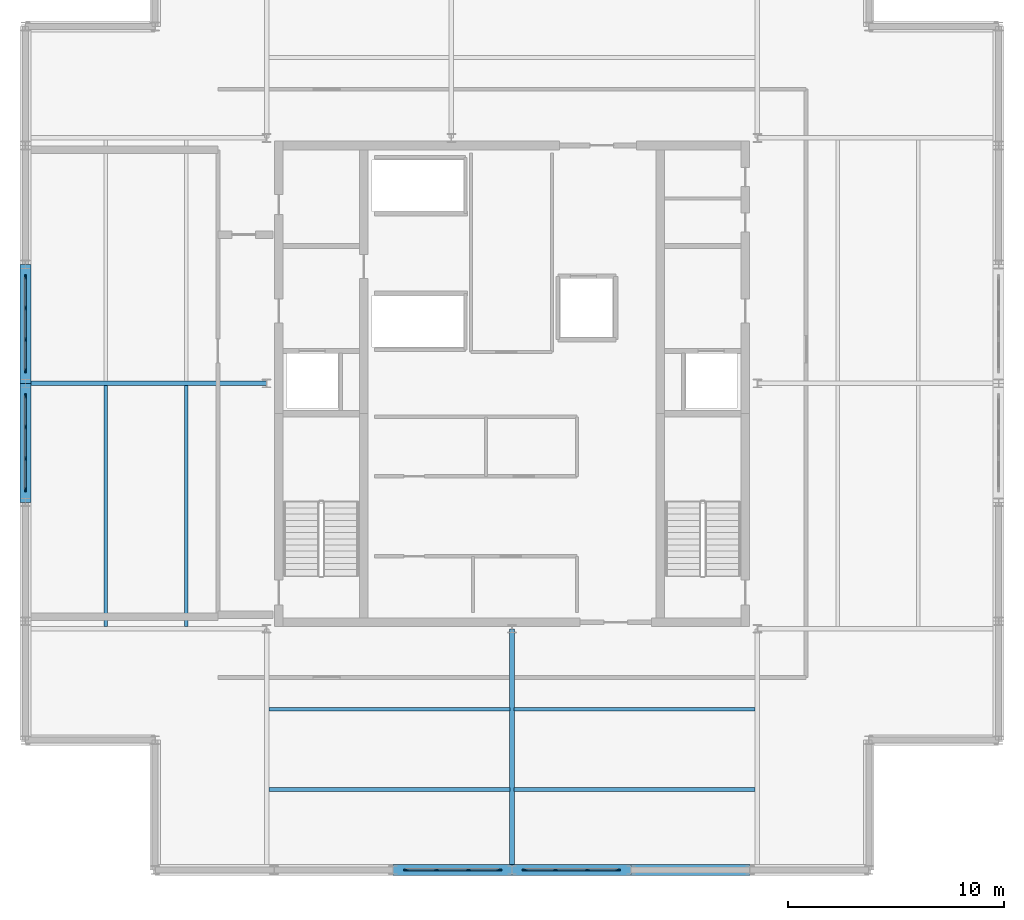
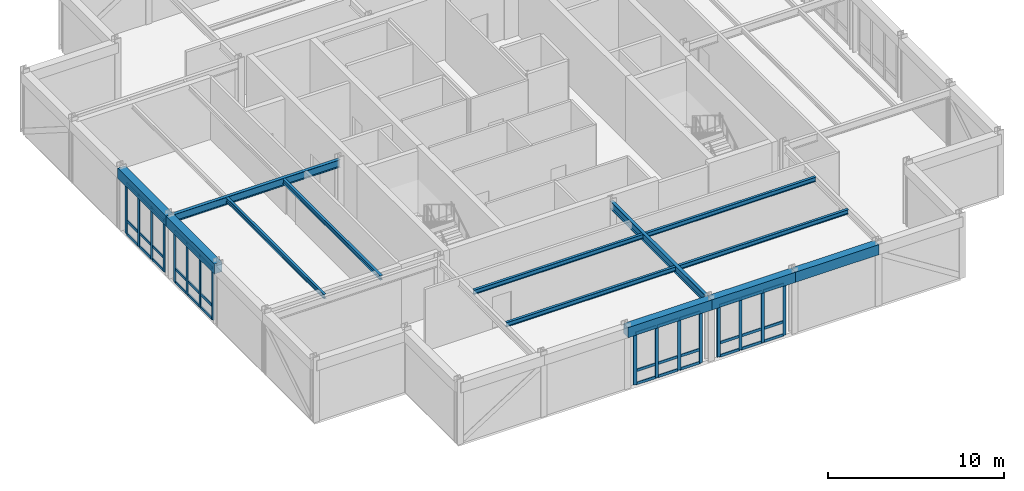
# One storey, part 2 of 9: 52 members, 13 beams, 4 elements without a shape of their own.
"""IFC4 building model written with IfcOpenShell, lengths in metres."""

from ifc_helpers import new_model, si_unit, direction, frame, origin, origin_2d, place, context, subcontext, project, spatial, rectangle, i_section, extrude, material, layer, layer_set, material_profile, profile_set, type_object, element, aggregate, save


model = new_model("IFC4")

# Units and contexts
model_context = context("Model", 3, precision=1e-05, world=origin(), true_north=direction((0.0, 1.0)))
body_context = subcontext(model_context, "Body", "Model", "MODEL_VIEW")
ifc_project = project(units=[si_unit("LENGTHUNIT", "METRE"), si_unit("AREAUNIT", "SQUARE_METRE"), si_unit("VOLUMEUNIT", "CUBIC_METRE"), si_unit("PLANEANGLEUNIT", "RADIAN"), si_unit("MASSUNIT", "GRAM", prefix="KILO")], contexts=[model_context])

# Site, building, storey
site_placement = place(None, origin())
site = spatial("IfcSite", under=ifc_project, at=site_placement, CompositionType="ELEMENT")
building_placement = place(site_placement, origin())
building = spatial("IfcBuilding", under=site, at=building_placement, Name="Nhamokura Convention Tower", CompositionType="ELEMENT")
storey_placement = place(building_placement, frame((0.0, 0.0, 313.25)))
storey = spatial("IfcBuildingStorey", under=building, at=storey_placement, Name="L77", CompositionType="ELEMENT", Elevation=313.25)

# Curtain wall, members
ifc_material_1 = material(Name="Anodised bronze aluminium AA6063-T6", Category="aluminium")
ifc_layer = layer(ifc_material_1, 0.2099609375)
ifc_layer_set = layer_set([ifc_layer], Name="CWSystem_SlantedCrown")
curtain_wall_type = type_object("IfcCurtainWallType", Name="CWSystem_SlantedCrown", PredefinedType="NOTDEFINED", material=ifc_layer_set)
curtain_wall_1_placement = place(storey_placement, origin())
curtain_wall_1 = element("IfcCurtainWall", 1, at=curtain_wall_1_placement, inside=storey, type_object=curtain_wall_type, Name="L77 Curtain Wall ENV-L77-CRCW-S2", PredefinedType="NOTDEFINED")
ifc_material_2 = material(Name="Anodised bronze aluminium AA6063-T6", Category="aluminium")
ifc_material_profile_1 = material_profile(ifc_material_2, rectangle(XDim=0.080078125, YDim=0.2099609375, at=origin_2d()))
ifc_profile_set_1 = profile_set([ifc_material_profile_1], Name="Anodised bronze aluminium AA6063-T6")
member_type_1 = type_object("IfcMemberType", Name="CWMullion_4", PredefinedType="MULLION", material=ifc_profile_set_1)
member_1_placement = place(storey_placement, frame((31.409912109375, 9.5, 0.0), z_axis=(0.0, 0.0, 1.0), x_axis=(0.0, -1.0, 0.0)))
member_1 = element("IfcMember", 2, at=member_1_placement, type_object=member_type_1, Name="CW-07 mullion 1", PredefinedType="MULLION", context=body_context, shape_type="SweptSolid", body=[
    extrude(rectangle(XDim=0.080078125, YDim=0.2099609375, at=origin_2d()), origin(), (0.0, 0.0, 1.0), 3.570068359375),
])
member_2_placement = place(storey_placement, frame((29.9833984375, 9.5, 0.0), z_axis=(0.0, 0.0, 1.0), x_axis=(0.0, -1.0, 0.0)))
member_2 = element("IfcMember", 3, at=member_2_placement, type_object=member_type_1, Name="CW-07 mullion 2", PredefinedType="MULLION", context=body_context, shape_type="SweptSolid", body=[
    extrude(rectangle(XDim=0.080078125, YDim=0.2099609375, at=origin_2d()), origin(), (0.0, 0.0, 1.0), 3.570068359375),
])
member_3_placement = place(storey_placement, frame((28.5166015625, 9.5, 0.0), z_axis=(0.0, 0.0, 1.0), x_axis=(0.0, -1.0, 0.0)))
member_3 = element("IfcMember", 4, at=member_3_placement, type_object=member_type_1, Name="CW-07 mullion 3", PredefinedType="MULLION", context=body_context, shape_type="SweptSolid", body=[
    extrude(rectangle(XDim=0.080078125, YDim=0.2099609375, at=origin_2d()), origin(), (0.0, 0.0, 1.0), 3.570068359375),
])
member_4_placement = place(storey_placement, frame((27.090087890625, 9.5, 0.0), z_axis=(0.0, 0.0, 1.0), x_axis=(0.0, -1.0, 0.0)))
member_4 = element("IfcMember", 5, at=member_4_placement, type_object=member_type_1, Name="CW-07 mullion 4", PredefinedType="MULLION", context=body_context, shape_type="SweptSolid", body=[
    extrude(rectangle(XDim=0.080078125, YDim=0.2099609375, at=origin_2d()), origin(), (0.0, 0.0, 1.0), 3.570068359375),
])

curtain_wall_2_placement = place(storey_placement, origin())
curtain_wall_2 = element("IfcCurtainWall", 6, at=curtain_wall_2_placement, inside=storey, type_object=curtain_wall_type, Name="L77 Curtain Wall ENV-L77-CRCW-S3", PredefinedType="NOTDEFINED")
member_5_placement = place(storey_placement, frame((36.909912109375, 9.5, 0.0), z_axis=(0.0, 0.0, 1.0), x_axis=(0.0, -1.0, 0.0)))
member_5 = element("IfcMember", 7, at=member_5_placement, type_object=member_type_1, Name="CW-07 mullion 1", PredefinedType="MULLION", context=body_context, shape_type="SweptSolid", body=[
    extrude(rectangle(XDim=0.080078125, YDim=0.2099609375, at=origin_2d()), origin(), (0.0, 0.0, 1.0), 3.570068359375),
])
member_6_placement = place(storey_placement, frame((35.4833984375, 9.5, 0.0), z_axis=(0.0, 0.0, 1.0), x_axis=(0.0, -1.0, 0.0)))
member_6 = element("IfcMember", 8, at=member_6_placement, type_object=member_type_1, Name="CW-07 mullion 2", PredefinedType="MULLION", context=body_context, shape_type="SweptSolid", body=[
    extrude(rectangle(XDim=0.080078125, YDim=0.2099609375, at=origin_2d()), origin(), (0.0, 0.0, 1.0), 3.570068359375),
])
member_7_placement = place(storey_placement, frame((34.0166015625, 9.5, 0.0), z_axis=(0.0, 0.0, 1.0), x_axis=(0.0, -1.0, 0.0)))
member_7 = element("IfcMember", 9, at=member_7_placement, type_object=member_type_1, Name="CW-07 mullion 3", PredefinedType="MULLION", context=body_context, shape_type="SweptSolid", body=[
    extrude(rectangle(XDim=0.080078125, YDim=0.2099609375, at=origin_2d()), origin(), (0.0, 0.0, 1.0), 3.570068359375),
])
member_8_placement = place(storey_placement, frame((32.590087890625, 9.5, 0.0), z_axis=(0.0, 0.0, 1.0), x_axis=(0.0, -1.0, 0.0)))
member_8 = element("IfcMember", 10, at=member_8_placement, type_object=member_type_1, Name="CW-07 mullion 4", PredefinedType="MULLION", context=body_context, shape_type="SweptSolid", body=[
    extrude(rectangle(XDim=0.080078125, YDim=0.2099609375, at=origin_2d()), origin(), (0.0, 0.0, 1.0), 3.570068359375),
])

curtain_wall_3_placement = place(storey_placement, origin())
curtain_wall_3 = element("IfcCurtainWall", 11, at=curtain_wall_3_placement, inside=storey, type_object=curtain_wall_type, Name="L77 Curtain Wall ENV-L77-CRCW-W2", PredefinedType="NOTDEFINED")
member_9_placement = place(storey_placement, frame((9.5, 27.090087890625, 0.0), z_axis=(0.0, 0.0, 1.0), x_axis=(-1.0, 0.0, 0.0)))
member_9 = element("IfcMember", 12, at=member_9_placement, type_object=member_type_1, Name="CW-07 mullion 1", PredefinedType="MULLION", context=body_context, shape_type="SweptSolid", body=[
    extrude(rectangle(XDim=0.080078125, YDim=0.2099609375, at=origin_2d()), origin(), (0.0, 0.0, 1.0), 3.570068359375),
])
member_10_placement = place(storey_placement, frame((9.5, 28.5166015625, 0.0), z_axis=(0.0, 0.0, 1.0), x_axis=(-1.0, 0.0, 0.0)))
member_10 = element("IfcMember", 13, at=member_10_placement, type_object=member_type_1, Name="CW-07 mullion 2", PredefinedType="MULLION", context=body_context, shape_type="SweptSolid", body=[
    extrude(rectangle(XDim=0.080078125, YDim=0.2099609375, at=origin_2d()), origin(), (0.0, 0.0, 1.0), 3.570068359375),
])
member_11_placement = place(storey_placement, frame((9.5, 29.9833984375, 0.0), z_axis=(0.0, 0.0, 1.0), x_axis=(-1.0, 0.0, 0.0)))
member_11 = element("IfcMember", 14, at=member_11_placement, type_object=member_type_1, Name="CW-07 mullion 3", PredefinedType="MULLION", context=body_context, shape_type="SweptSolid", body=[
    extrude(rectangle(XDim=0.080078125, YDim=0.2099609375, at=origin_2d()), origin(), (0.0, 0.0, 1.0), 3.570068359375),
])
member_12_placement = place(storey_placement, frame((9.5, 31.409912109375, 0.0), z_axis=(0.0, 0.0, 1.0), x_axis=(-1.0, 0.0, 0.0)))
member_12 = element("IfcMember", 15, at=member_12_placement, type_object=member_type_1, Name="CW-07 mullion 4", PredefinedType="MULLION", context=body_context, shape_type="SweptSolid", body=[
    extrude(rectangle(XDim=0.080078125, YDim=0.2099609375, at=origin_2d()), origin(), (0.0, 0.0, 1.0), 3.570068359375),
])

curtain_wall_4_placement = place(storey_placement, origin())
curtain_wall_4 = element("IfcCurtainWall", 16, at=curtain_wall_4_placement, inside=storey, type_object=curtain_wall_type, Name="L77 Curtain Wall ENV-L77-CRCW-W3", PredefinedType="NOTDEFINED")
member_13_placement = place(storey_placement, frame((9.5, 32.590087890625, 0.0), z_axis=(0.0, 0.0, 1.0), x_axis=(-1.0, 0.0, 0.0)))
member_13 = element("IfcMember", 17, at=member_13_placement, type_object=member_type_1, Name="CW-07 mullion 1", PredefinedType="MULLION", context=body_context, shape_type="SweptSolid", body=[
    extrude(rectangle(XDim=0.080078125, YDim=0.2099609375, at=origin_2d()), origin(), (0.0, 0.0, 1.0), 3.570068359375),
])
member_14_placement = place(storey_placement, frame((9.5, 34.0166015625, 0.0), z_axis=(0.0, 0.0, 1.0), x_axis=(-1.0, 0.0, 0.0)))
member_14 = element("IfcMember", 18, at=member_14_placement, type_object=member_type_1, Name="CW-07 mullion 2", PredefinedType="MULLION", context=body_context, shape_type="SweptSolid", body=[
    extrude(rectangle(XDim=0.080078125, YDim=0.2099609375, at=origin_2d()), origin(), (0.0, 0.0, 1.0), 3.570068359375),
])
member_15_placement = place(storey_placement, frame((9.5, 35.4833984375, 0.0), z_axis=(0.0, 0.0, 1.0), x_axis=(-1.0, 0.0, 0.0)))
member_15 = element("IfcMember", 19, at=member_15_placement, type_object=member_type_1, Name="CW-07 mullion 3", PredefinedType="MULLION", context=body_context, shape_type="SweptSolid", body=[
    extrude(rectangle(XDim=0.080078125, YDim=0.2099609375, at=origin_2d()), origin(), (0.0, 0.0, 1.0), 3.570068359375),
])
member_16_placement = place(storey_placement, frame((9.5, 36.909912109375, 0.0), z_axis=(0.0, 0.0, 1.0), x_axis=(-1.0, 0.0, 0.0)))
member_16 = element("IfcMember", 20, at=member_16_placement, type_object=member_type_1, Name="CW-07 mullion 4", PredefinedType="MULLION", context=body_context, shape_type="SweptSolid", body=[
    extrude(rectangle(XDim=0.080078125, YDim=0.2099609375, at=origin_2d()), origin(), (0.0, 0.0, 1.0), 3.570068359375),
])

# Member
ifc_material_3 = material(Name="Anodised bronze aluminium AA6063-T6", Category="aluminium")
ifc_material_profile_2 = material_profile(ifc_material_3, rectangle(XDim=0.080078125, YDim=0.18505859375, at=origin_2d()))
ifc_profile_set_2 = profile_set([ifc_material_profile_2], Name="Anodised bronze aluminium AA6063-T6")
member_type_2 = type_object("IfcMemberType", Name="CWTransom_4", PredefinedType="USERDEFINED", material=ifc_profile_set_2)
member_17_placement = place(storey_placement, frame((31.3701171875, 9.5, 0.0400390625), z_axis=(-1.0, 0.0, 0.0), x_axis=(0.0, -1.0, 0.0)))
member_17 = element("IfcMember", 21, at=member_17_placement, type_object=member_type_2, Name="CW-07 transom 1.1", ObjectType="TRANSOM", PredefinedType="USERDEFINED", context=body_context, shape_type="SweptSolid", body=[
    extrude(rectangle(XDim=0.080078125, YDim=0.18505859375, at=origin_2d()), origin(), (0.0, 0.0, 1.0), 1.3466796875),
])

member_18_placement = place(storey_placement, frame((31.3701171875, 9.5, 0.949951171875), z_axis=(-1.0, 0.0, 0.0), x_axis=(0.0, -1.0, 0.0)))
member_18 = element("IfcMember", 22, at=member_18_placement, type_object=member_type_2, Name="CW-07 transom 1.2", ObjectType="TRANSOM", PredefinedType="USERDEFINED", context=body_context, shape_type="SweptSolid", body=[
    extrude(rectangle(XDim=0.080078125, YDim=0.18505859375, at=origin_2d()), origin(), (0.0, 0.0, 1.0), 1.3466796875),
])

member_19_placement = place(storey_placement, frame((31.3701171875, 9.5, 3.530029296875), z_axis=(-1.0, 0.0, 0.0), x_axis=(0.0, -1.0, 0.0)))
member_19 = element("IfcMember", 23, at=member_19_placement, type_object=member_type_2, Name="CW-07 transom 1.3", ObjectType="TRANSOM", PredefinedType="USERDEFINED", context=body_context, shape_type="SweptSolid", body=[
    extrude(rectangle(XDim=0.080078125, YDim=0.18505859375, at=origin_2d()), origin(), (0.0, 0.0, 1.0), 1.3466796875),
])

member_20_placement = place(storey_placement, frame((29.943359375, 9.5, 0.0400390625), z_axis=(-1.0, 0.0, 0.0), x_axis=(0.0, -1.0, 0.0)))
member_20 = element("IfcMember", 24, at=member_20_placement, type_object=member_type_2, Name="CW-07 transom 2.1", ObjectType="TRANSOM", PredefinedType="USERDEFINED", context=body_context, shape_type="SweptSolid", body=[
    extrude(rectangle(XDim=0.080078125, YDim=0.18505859375, at=origin_2d()), origin(), (0.0, 0.0, 1.0), 1.38671875),
])

member_21_placement = place(storey_placement, frame((29.943359375, 9.5, 0.949951171875), z_axis=(-1.0, 0.0, 0.0), x_axis=(0.0, -1.0, 0.0)))
member_21 = element("IfcMember", 25, at=member_21_placement, type_object=member_type_2, Name="CW-07 transom 2.2", ObjectType="TRANSOM", PredefinedType="USERDEFINED", context=body_context, shape_type="SweptSolid", body=[
    extrude(rectangle(XDim=0.080078125, YDim=0.18505859375, at=origin_2d()), origin(), (0.0, 0.0, 1.0), 1.38671875),
])

member_22_placement = place(storey_placement, frame((29.943359375, 9.5, 3.530029296875), z_axis=(-1.0, 0.0, 0.0), x_axis=(0.0, -1.0, 0.0)))
member_22 = element("IfcMember", 26, at=member_22_placement, type_object=member_type_2, Name="CW-07 transom 2.3", ObjectType="TRANSOM", PredefinedType="USERDEFINED", context=body_context, shape_type="SweptSolid", body=[
    extrude(rectangle(XDim=0.080078125, YDim=0.18505859375, at=origin_2d()), origin(), (0.0, 0.0, 1.0), 1.38671875),
])

member_23_placement = place(storey_placement, frame((28.4765625, 9.5, 0.0400390625), z_axis=(-1.0, 0.0, 0.0), x_axis=(0.0, -1.0, 0.0)))
member_23 = element("IfcMember", 27, at=member_23_placement, type_object=member_type_2, Name="CW-07 transom 3.1", ObjectType="TRANSOM", PredefinedType="USERDEFINED", context=body_context, shape_type="SweptSolid", body=[
    extrude(rectangle(XDim=0.080078125, YDim=0.18505859375, at=origin_2d()), origin(), (0.0, 0.0, 1.0), 1.3466796875),
])

member_24_placement = place(storey_placement, frame((28.4765625, 9.5, 0.949951171875), z_axis=(-1.0, 0.0, 0.0), x_axis=(0.0, -1.0, 0.0)))
member_24 = element("IfcMember", 28, at=member_24_placement, type_object=member_type_2, Name="CW-07 transom 3.2", ObjectType="TRANSOM", PredefinedType="USERDEFINED", context=body_context, shape_type="SweptSolid", body=[
    extrude(rectangle(XDim=0.080078125, YDim=0.18505859375, at=origin_2d()), origin(), (0.0, 0.0, 1.0), 1.3466796875),
])

member_25_placement = place(storey_placement, frame((28.4765625, 9.5, 3.530029296875), z_axis=(-1.0, 0.0, 0.0), x_axis=(0.0, -1.0, 0.0)))
member_25 = element("IfcMember", 29, at=member_25_placement, type_object=member_type_2, Name="CW-07 transom 3.3", ObjectType="TRANSOM", PredefinedType="USERDEFINED", context=body_context, shape_type="SweptSolid", body=[
    extrude(rectangle(XDim=0.080078125, YDim=0.18505859375, at=origin_2d()), origin(), (0.0, 0.0, 1.0), 1.3466796875),
])

aggregate(curtain_wall_1, [member_1, member_2, member_3, member_4, member_17, member_18, member_19, member_20, member_21, member_22, member_23, member_24, member_25])

member_26_placement = place(storey_placement, frame((36.8701171875, 9.5, 0.0400390625), z_axis=(-1.0, 0.0, 0.0), x_axis=(0.0, -1.0, 0.0)))
member_26 = element("IfcMember", 30, at=member_26_placement, type_object=member_type_2, Name="CW-07 transom 1.1", ObjectType="TRANSOM", PredefinedType="USERDEFINED", context=body_context, shape_type="SweptSolid", body=[
    extrude(rectangle(XDim=0.080078125, YDim=0.18505859375, at=origin_2d()), origin(), (0.0, 0.0, 1.0), 1.3466796875),
])

member_27_placement = place(storey_placement, frame((36.8701171875, 9.5, 0.949951171875), z_axis=(-1.0, 0.0, 0.0), x_axis=(0.0, -1.0, 0.0)))
member_27 = element("IfcMember", 31, at=member_27_placement, type_object=member_type_2, Name="CW-07 transom 1.2", ObjectType="TRANSOM", PredefinedType="USERDEFINED", context=body_context, shape_type="SweptSolid", body=[
    extrude(rectangle(XDim=0.080078125, YDim=0.18505859375, at=origin_2d()), origin(), (0.0, 0.0, 1.0), 1.3466796875),
])

member_28_placement = place(storey_placement, frame((36.8701171875, 9.5, 3.530029296875), z_axis=(-1.0, 0.0, 0.0), x_axis=(0.0, -1.0, 0.0)))
member_28 = element("IfcMember", 32, at=member_28_placement, type_object=member_type_2, Name="CW-07 transom 1.3", ObjectType="TRANSOM", PredefinedType="USERDEFINED", context=body_context, shape_type="SweptSolid", body=[
    extrude(rectangle(XDim=0.080078125, YDim=0.18505859375, at=origin_2d()), origin(), (0.0, 0.0, 1.0), 1.3466796875),
])

member_29_placement = place(storey_placement, frame((35.443359375, 9.5, 0.0400390625), z_axis=(-1.0, 0.0, 0.0), x_axis=(0.0, -1.0, 0.0)))
member_29 = element("IfcMember", 33, at=member_29_placement, type_object=member_type_2, Name="CW-07 transom 2.1", ObjectType="TRANSOM", PredefinedType="USERDEFINED", context=body_context, shape_type="SweptSolid", body=[
    extrude(rectangle(XDim=0.080078125, YDim=0.18505859375, at=origin_2d()), origin(), (0.0, 0.0, 1.0), 1.38671875),
])

member_30_placement = place(storey_placement, frame((35.443359375, 9.5, 0.949951171875), z_axis=(-1.0, 0.0, 0.0), x_axis=(0.0, -1.0, 0.0)))
member_30 = element("IfcMember", 34, at=member_30_placement, type_object=member_type_2, Name="CW-07 transom 2.2", ObjectType="TRANSOM", PredefinedType="USERDEFINED", context=body_context, shape_type="SweptSolid", body=[
    extrude(rectangle(XDim=0.080078125, YDim=0.18505859375, at=origin_2d()), origin(), (0.0, 0.0, 1.0), 1.38671875),
])

member_31_placement = place(storey_placement, frame((35.443359375, 9.5, 3.530029296875), z_axis=(-1.0, 0.0, 0.0), x_axis=(0.0, -1.0, 0.0)))
member_31 = element("IfcMember", 35, at=member_31_placement, type_object=member_type_2, Name="CW-07 transom 2.3", ObjectType="TRANSOM", PredefinedType="USERDEFINED", context=body_context, shape_type="SweptSolid", body=[
    extrude(rectangle(XDim=0.080078125, YDim=0.18505859375, at=origin_2d()), origin(), (0.0, 0.0, 1.0), 1.38671875),
])

member_32_placement = place(storey_placement, frame((33.9765625, 9.5, 0.0400390625), z_axis=(-1.0, 0.0, 0.0), x_axis=(0.0, -1.0, 0.0)))
member_32 = element("IfcMember", 36, at=member_32_placement, type_object=member_type_2, Name="CW-07 transom 3.1", ObjectType="TRANSOM", PredefinedType="USERDEFINED", context=body_context, shape_type="SweptSolid", body=[
    extrude(rectangle(XDim=0.080078125, YDim=0.18505859375, at=origin_2d()), origin(), (0.0, 0.0, 1.0), 1.3466796875),
])

member_33_placement = place(storey_placement, frame((33.9765625, 9.5, 0.949951171875), z_axis=(-1.0, 0.0, 0.0), x_axis=(0.0, -1.0, 0.0)))
member_33 = element("IfcMember", 37, at=member_33_placement, type_object=member_type_2, Name="CW-07 transom 3.2", ObjectType="TRANSOM", PredefinedType="USERDEFINED", context=body_context, shape_type="SweptSolid", body=[
    extrude(rectangle(XDim=0.080078125, YDim=0.18505859375, at=origin_2d()), origin(), (0.0, 0.0, 1.0), 1.3466796875),
])

member_34_placement = place(storey_placement, frame((33.9765625, 9.5, 3.530029296875), z_axis=(-1.0, 0.0, 0.0), x_axis=(0.0, -1.0, 0.0)))
member_34 = element("IfcMember", 38, at=member_34_placement, type_object=member_type_2, Name="CW-07 transom 3.3", ObjectType="TRANSOM", PredefinedType="USERDEFINED", context=body_context, shape_type="SweptSolid", body=[
    extrude(rectangle(XDim=0.080078125, YDim=0.18505859375, at=origin_2d()), origin(), (0.0, 0.0, 1.0), 1.3466796875),
])

aggregate(curtain_wall_2, [member_5, member_6, member_7, member_8, member_26, member_27, member_28, member_29, member_30, member_31, member_32, member_33, member_34])

member_35_placement = place(storey_placement, frame((9.5, 27.1298828125, 0.0400390625), z_axis=(0.0, 1.0, 0.0), x_axis=(-1.0, 0.0, 0.0)))
member_35 = element("IfcMember", 39, at=member_35_placement, type_object=member_type_2, Name="CW-07 transom 1.1", ObjectType="TRANSOM", PredefinedType="USERDEFINED", context=body_context, shape_type="SweptSolid", body=[
    extrude(rectangle(XDim=0.080078125, YDim=0.18505859375, at=origin_2d()), origin(), (0.0, 0.0, 1.0), 1.3466796875),
])

member_36_placement = place(storey_placement, frame((9.5, 27.1298828125, 0.949951171875), z_axis=(0.0, 1.0, 0.0), x_axis=(-1.0, 0.0, 0.0)))
member_36 = element("IfcMember", 40, at=member_36_placement, type_object=member_type_2, Name="CW-07 transom 1.2", ObjectType="TRANSOM", PredefinedType="USERDEFINED", context=body_context, shape_type="SweptSolid", body=[
    extrude(rectangle(XDim=0.080078125, YDim=0.18505859375, at=origin_2d()), origin(), (0.0, 0.0, 1.0), 1.3466796875),
])

member_37_placement = place(storey_placement, frame((9.5, 27.1298828125, 3.530029296875), z_axis=(0.0, 1.0, 0.0), x_axis=(-1.0, 0.0, 0.0)))
member_37 = element("IfcMember", 41, at=member_37_placement, type_object=member_type_2, Name="CW-07 transom 1.3", ObjectType="TRANSOM", PredefinedType="USERDEFINED", context=body_context, shape_type="SweptSolid", body=[
    extrude(rectangle(XDim=0.080078125, YDim=0.18505859375, at=origin_2d()), origin(), (0.0, 0.0, 1.0), 1.3466796875),
])

member_38_placement = place(storey_placement, frame((9.5, 28.556640625, 0.0400390625), z_axis=(0.0, 1.0, 0.0), x_axis=(-1.0, 0.0, 0.0)))
member_38 = element("IfcMember", 42, at=member_38_placement, type_object=member_type_2, Name="CW-07 transom 2.1", ObjectType="TRANSOM", PredefinedType="USERDEFINED", context=body_context, shape_type="SweptSolid", body=[
    extrude(rectangle(XDim=0.080078125, YDim=0.18505859375, at=origin_2d()), origin(), (0.0, 0.0, 1.0), 1.38671875),
])

member_39_placement = place(storey_placement, frame((9.5, 28.556640625, 0.949951171875), z_axis=(0.0, 1.0, 0.0), x_axis=(-1.0, 0.0, 0.0)))
member_39 = element("IfcMember", 43, at=member_39_placement, type_object=member_type_2, Name="CW-07 transom 2.2", ObjectType="TRANSOM", PredefinedType="USERDEFINED", context=body_context, shape_type="SweptSolid", body=[
    extrude(rectangle(XDim=0.080078125, YDim=0.18505859375, at=origin_2d()), origin(), (0.0, 0.0, 1.0), 1.38671875),
])

member_40_placement = place(storey_placement, frame((9.5, 28.556640625, 3.530029296875), z_axis=(0.0, 1.0, 0.0), x_axis=(-1.0, 0.0, 0.0)))
member_40 = element("IfcMember", 44, at=member_40_placement, type_object=member_type_2, Name="CW-07 transom 2.3", ObjectType="TRANSOM", PredefinedType="USERDEFINED", context=body_context, shape_type="SweptSolid", body=[
    extrude(rectangle(XDim=0.080078125, YDim=0.18505859375, at=origin_2d()), origin(), (0.0, 0.0, 1.0), 1.38671875),
])

member_41_placement = place(storey_placement, frame((9.5, 30.0234375, 0.0400390625), z_axis=(0.0, 1.0, 0.0), x_axis=(-1.0, 0.0, 0.0)))
member_41 = element("IfcMember", 45, at=member_41_placement, type_object=member_type_2, Name="CW-07 transom 3.1", ObjectType="TRANSOM", PredefinedType="USERDEFINED", context=body_context, shape_type="SweptSolid", body=[
    extrude(rectangle(XDim=0.080078125, YDim=0.18505859375, at=origin_2d()), origin(), (0.0, 0.0, 1.0), 1.3466796875),
])

member_42_placement = place(storey_placement, frame((9.5, 30.0234375, 0.949951171875), z_axis=(0.0, 1.0, 0.0), x_axis=(-1.0, 0.0, 0.0)))
member_42 = element("IfcMember", 46, at=member_42_placement, type_object=member_type_2, Name="CW-07 transom 3.2", ObjectType="TRANSOM", PredefinedType="USERDEFINED", context=body_context, shape_type="SweptSolid", body=[
    extrude(rectangle(XDim=0.080078125, YDim=0.18505859375, at=origin_2d()), origin(), (0.0, 0.0, 1.0), 1.3466796875),
])

member_43_placement = place(storey_placement, frame((9.5, 30.0234375, 3.530029296875), z_axis=(0.0, 1.0, 0.0), x_axis=(-1.0, 0.0, 0.0)))
member_43 = element("IfcMember", 47, at=member_43_placement, type_object=member_type_2, Name="CW-07 transom 3.3", ObjectType="TRANSOM", PredefinedType="USERDEFINED", context=body_context, shape_type="SweptSolid", body=[
    extrude(rectangle(XDim=0.080078125, YDim=0.18505859375, at=origin_2d()), origin(), (0.0, 0.0, 1.0), 1.3466796875),
])

aggregate(curtain_wall_3, [member_9, member_10, member_11, member_12, member_35, member_36, member_37, member_38, member_39, member_40, member_41, member_42, member_43])

member_44_placement = place(storey_placement, frame((9.5, 32.6298828125, 0.0400390625), z_axis=(0.0, 1.0, 0.0), x_axis=(-1.0, 0.0, 0.0)))
member_44 = element("IfcMember", 48, at=member_44_placement, type_object=member_type_2, Name="CW-07 transom 1.1", ObjectType="TRANSOM", PredefinedType="USERDEFINED", context=body_context, shape_type="SweptSolid", body=[
    extrude(rectangle(XDim=0.080078125, YDim=0.18505859375, at=origin_2d()), origin(), (0.0, 0.0, 1.0), 1.3466796875),
])

member_45_placement = place(storey_placement, frame((9.5, 32.6298828125, 0.949951171875), z_axis=(0.0, 1.0, 0.0), x_axis=(-1.0, 0.0, 0.0)))
member_45 = element("IfcMember", 49, at=member_45_placement, type_object=member_type_2, Name="CW-07 transom 1.2", ObjectType="TRANSOM", PredefinedType="USERDEFINED", context=body_context, shape_type="SweptSolid", body=[
    extrude(rectangle(XDim=0.080078125, YDim=0.18505859375, at=origin_2d()), origin(), (0.0, 0.0, 1.0), 1.3466796875),
])

member_46_placement = place(storey_placement, frame((9.5, 32.6298828125, 3.530029296875), z_axis=(0.0, 1.0, 0.0), x_axis=(-1.0, 0.0, 0.0)))
member_46 = element("IfcMember", 50, at=member_46_placement, type_object=member_type_2, Name="CW-07 transom 1.3", ObjectType="TRANSOM", PredefinedType="USERDEFINED", context=body_context, shape_type="SweptSolid", body=[
    extrude(rectangle(XDim=0.080078125, YDim=0.18505859375, at=origin_2d()), origin(), (0.0, 0.0, 1.0), 1.3466796875),
])

member_47_placement = place(storey_placement, frame((9.5, 34.056640625, 0.0400390625), z_axis=(0.0, 1.0, 0.0), x_axis=(-1.0, 0.0, 0.0)))
member_47 = element("IfcMember", 51, at=member_47_placement, type_object=member_type_2, Name="CW-07 transom 2.1", ObjectType="TRANSOM", PredefinedType="USERDEFINED", context=body_context, shape_type="SweptSolid", body=[
    extrude(rectangle(XDim=0.080078125, YDim=0.18505859375, at=origin_2d()), origin(), (0.0, 0.0, 1.0), 1.38671875),
])

member_48_placement = place(storey_placement, frame((9.5, 34.056640625, 0.949951171875), z_axis=(0.0, 1.0, 0.0), x_axis=(-1.0, 0.0, 0.0)))
member_48 = element("IfcMember", 52, at=member_48_placement, type_object=member_type_2, Name="CW-07 transom 2.2", ObjectType="TRANSOM", PredefinedType="USERDEFINED", context=body_context, shape_type="SweptSolid", body=[
    extrude(rectangle(XDim=0.080078125, YDim=0.18505859375, at=origin_2d()), origin(), (0.0, 0.0, 1.0), 1.38671875),
])

member_49_placement = place(storey_placement, frame((9.5, 34.056640625, 3.530029296875), z_axis=(0.0, 1.0, 0.0), x_axis=(-1.0, 0.0, 0.0)))
member_49 = element("IfcMember", 53, at=member_49_placement, type_object=member_type_2, Name="CW-07 transom 2.3", ObjectType="TRANSOM", PredefinedType="USERDEFINED", context=body_context, shape_type="SweptSolid", body=[
    extrude(rectangle(XDim=0.080078125, YDim=0.18505859375, at=origin_2d()), origin(), (0.0, 0.0, 1.0), 1.38671875),
])

member_50_placement = place(storey_placement, frame((9.5, 35.5234375, 0.0400390625), z_axis=(0.0, 1.0, 0.0), x_axis=(-1.0, 0.0, 0.0)))
member_50 = element("IfcMember", 54, at=member_50_placement, type_object=member_type_2, Name="CW-07 transom 3.1", ObjectType="TRANSOM", PredefinedType="USERDEFINED", context=body_context, shape_type="SweptSolid", body=[
    extrude(rectangle(XDim=0.080078125, YDim=0.18505859375, at=origin_2d()), origin(), (0.0, 0.0, 1.0), 1.3466796875),
])

member_51_placement = place(storey_placement, frame((9.5, 35.5234375, 0.949951171875), z_axis=(0.0, 1.0, 0.0), x_axis=(-1.0, 0.0, 0.0)))
member_51 = element("IfcMember", 55, at=member_51_placement, type_object=member_type_2, Name="CW-07 transom 3.2", ObjectType="TRANSOM", PredefinedType="USERDEFINED", context=body_context, shape_type="SweptSolid", body=[
    extrude(rectangle(XDim=0.080078125, YDim=0.18505859375, at=origin_2d()), origin(), (0.0, 0.0, 1.0), 1.3466796875),
])

member_52_placement = place(storey_placement, frame((9.5, 35.5234375, 3.530029296875), z_axis=(0.0, 1.0, 0.0), x_axis=(-1.0, 0.0, 0.0)))
member_52 = element("IfcMember", 56, at=member_52_placement, type_object=member_type_2, Name="CW-07 transom 3.3", ObjectType="TRANSOM", PredefinedType="USERDEFINED", context=body_context, shape_type="SweptSolid", body=[
    extrude(rectangle(XDim=0.080078125, YDim=0.18505859375, at=origin_2d()), origin(), (0.0, 0.0, 1.0), 1.3466796875),
])

aggregate(curtain_wall_4, [member_13, member_14, member_15, member_16, member_44, member_45, member_46, member_47, member_48, member_49, member_50, member_51, member_52])

# Beams
ifc_material_4 = material(Name="Steel ASTM A992 Gr 50", Category="steel")
ifc_material_profile_3 = material_profile(ifc_material_4, i_section(OverallWidth=0.166015625, OverallDepth=0.31298828125, WebThickness=0.006591796875, FlangeThickness=0.01123046875, at=origin_2d()))
ifc_profile_set_3 = profile_set([ifc_material_profile_3], Name="Steel ASTM A992 Gr 50")
beam_type_1 = type_object("IfcBeamType", Name="FloorJoist_W310X45", PredefinedType="JOIST", material=ifc_profile_set_3)
for number, where, z_axis, x_axis, name in (
    (57, (20.75244140625, 13.216796875, 4.133544921875), (1.0, 0.0, 0.0), (0.0, 1.0, 0.0), "L77 Composite Floor Joist S1A"),
    (58, (32.1025390625, 13.216796875, 4.133544921875), (1.0, 0.0, 0.0), (0.0, 1.0, 0.0), "L77 Composite Floor Joist S1B"),
    (59, (20.75244140625, 16.933349609375, 4.133544921875), (1.0, 0.0, 0.0), (0.0, 1.0, 0.0), "L77 Composite Floor Joist S2A"),
    (60, (32.1025390625, 16.933349609375, 4.133544921875), (1.0, 0.0, 0.0), (0.0, 1.0, 0.0), "L77 Composite Floor Joist S2B"),
    (61, (13.216796875, 20.75244140625, 4.133544921875), (0.0, 1.0, 0.0), (-1.0, 0.0, 0.0), "L77 Composite Floor Joist W1A"),
    (62, (16.933349609375, 20.75244140625, 4.133544921875), (0.0, 1.0, 0.0), (-1.0, 0.0, 0.0), "L77 Composite Floor Joist W2A"),
):
    element("IfcBeam", number, at=place(storey_placement, frame(where, z_axis=z_axis, x_axis=x_axis)), inside=storey, type_object=beam_type_1, Name=name, PredefinedType="JOIST", context=body_context, shape_type="SweptSolid", body=[
        extrude(i_section(OverallWidth=0.166015625, OverallDepth=0.31298828125, WebThickness=0.006591796875, FlangeThickness=0.01123046875, at=origin_2d()), origin(), (0.0, 0.0, 1.0), 11.14501953125),
    ])
ifc_material_5 = material(Name="Steel ASTM A992 Gr 50", Category="steel")
ifc_material_profile_4 = material_profile(ifc_material_5, i_section(OverallWidth=0.208984375, OverallDepth=0.532958984375, WebThickness=0.01025390625, FlangeThickness=0.015625, at=origin_2d()))
ifc_profile_set_4 = profile_set([ifc_material_profile_4], Name="Steel ASTM A992 Gr 50")
beam_type_2 = type_object("IfcBeamType", Name="PrimaryGirder_W530X92", PredefinedType="BEAM", material=ifc_profile_set_4)
for number, where, z_axis, x_axis, name in (
    (63, (32.0, 9.5, 4.0234375), (0.0, 1.0, 0.0), (-1.0, 0.0, 0.0), "L77 Primary Floor Girder PG-S2"),
    (64, (9.5, 32.0, 4.0234375), (1.0, 0.0, 0.0), (0.0, 1.0, 0.0), "L77 Primary Floor Girder PG-W2"),
):
    element("IfcBeam", number, at=place(storey_placement, frame(where, z_axis=z_axis, x_axis=x_axis)), inside=storey, type_object=beam_type_2, Name=name, PredefinedType="BEAM", context=body_context, shape_type="SweptSolid", body=[
        extrude(i_section(OverallWidth=0.208984375, OverallDepth=0.532958984375, WebThickness=0.01025390625, FlangeThickness=0.015625, at=origin_2d()), origin(), (0.0, 0.0, 1.0), 11.14990234375),
    ])
ifc_material_6 = material(Name="Concrete C50/60", Category="concrete")
ifc_material_profile_5 = material_profile(ifc_material_6, rectangle(XDim=0.5, YDim=0.699951171875, at=origin_2d()))
ifc_profile_set_5 = profile_set([ifc_material_profile_5], Name="Concrete C50/60")
beam_type_3 = type_object("IfcBeamType", Name="TubeSpandrel_700", PredefinedType="SPANDREL", material=ifc_profile_set_5)
for number, where, z_axis, x_axis, name in (
    (65, (26.5, 9.5, 3.93994140625), (1.0, 0.0, 0.0), (0.0, 1.0, 0.0), "L77 Perimeter Spandrel SOUTH 3"),
    (66, (32.0, 9.5, 3.93994140625), (1.0, 0.0, 0.0), (0.0, 1.0, 0.0), "L77 Perimeter Spandrel SOUTH 4"),
    (67, (37.5, 9.5, 3.93994140625), (1.0, 0.0, 0.0), (0.0, 1.0, 0.0), "L77 Perimeter Spandrel SOUTH 5"),
    (68, (9.5, 26.5, 3.93994140625), (0.0, 1.0, 0.0), (-1.0, 0.0, 0.0), "L77 Perimeter Spandrel WEST 3"),
    (69, (9.5, 32.0, 3.93994140625), (0.0, 1.0, 0.0), (-1.0, 0.0, 0.0), "L77 Perimeter Spandrel WEST 4"),
):
    element("IfcBeam", number, at=place(storey_placement, frame(where, z_axis=z_axis, x_axis=x_axis)), inside=storey, type_object=beam_type_3, Name=name, PredefinedType="SPANDREL", context=body_context, shape_type="SweptSolid", body=[
        extrude(rectangle(XDim=0.5, YDim=0.699951171875, at=origin_2d()), origin(), (0.0, 0.0, 1.0), 5.5),
    ])

save(model, "model.ifc")
